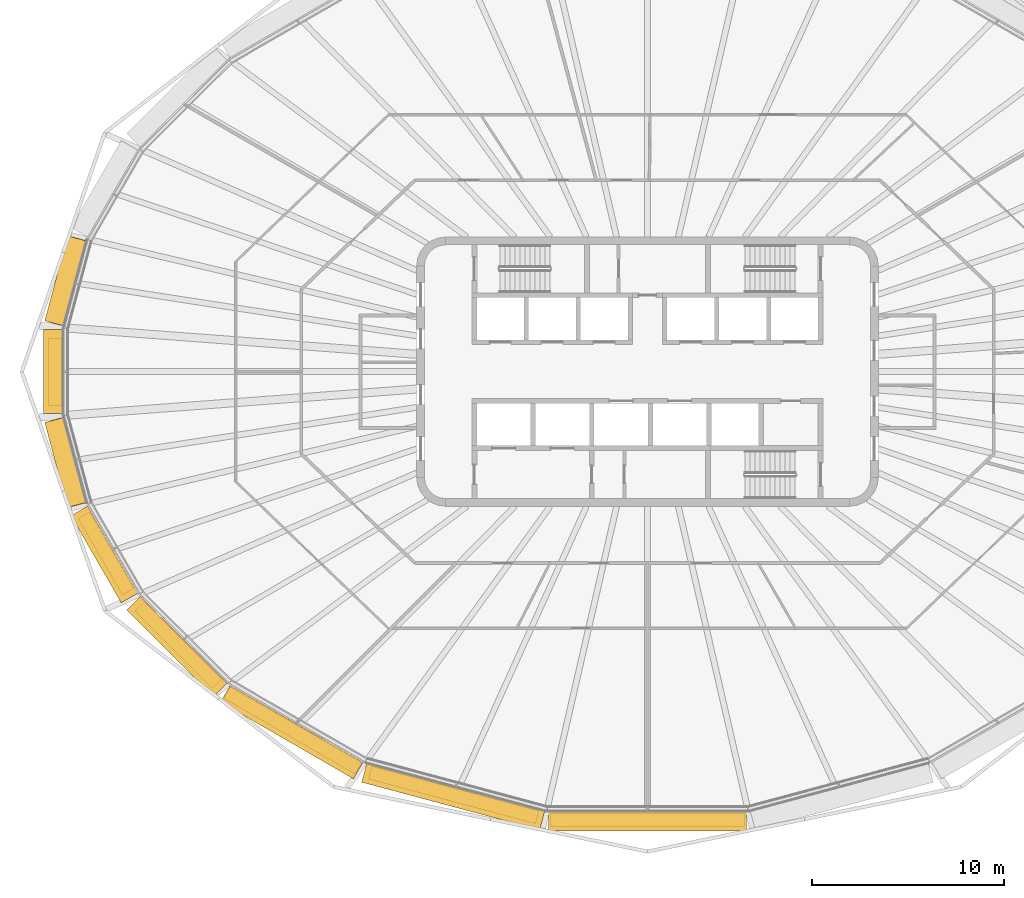
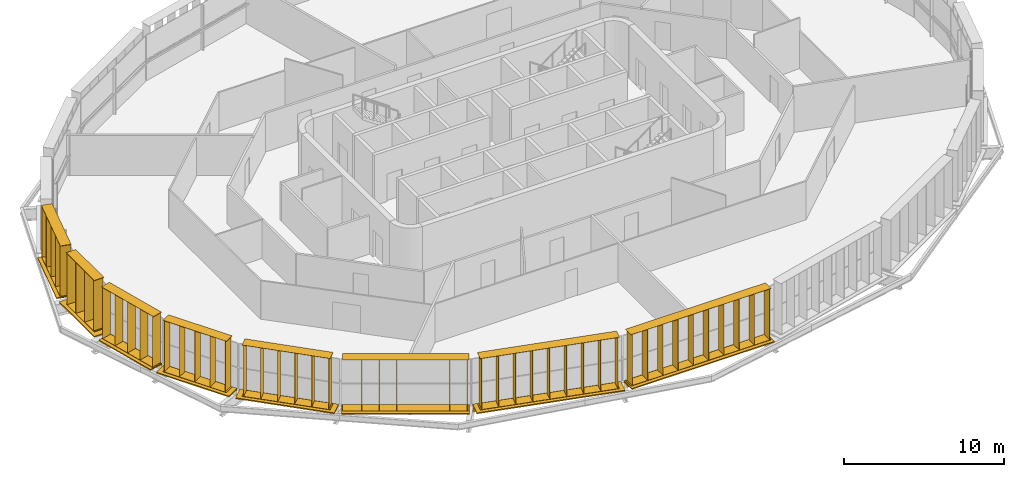
# One storey, part 15 of 20: 16 shading devices.
"""IFC4 building model written with IfcOpenShell, lengths in metres."""

from ifc_helpers import new_model, si_unit, direction, frame, origin, origin_2d, place, context, subcontext, project, spatial, rectangle, extrude, material, type_object, element, save


model = new_model("IFC4")

# Units and contexts
model_context = context("Model", 3, precision=1e-05, world=origin(), true_north=direction((0.0, 1.0)))
body_context = subcontext(model_context, "Body", "Model", "MODEL_VIEW")
ifc_project = project(units=[si_unit("LENGTHUNIT", "METRE"), si_unit("AREAUNIT", "SQUARE_METRE"), si_unit("VOLUMEUNIT", "CUBIC_METRE"), si_unit("PLANEANGLEUNIT", "RADIAN"), si_unit("MASSUNIT", "GRAM", prefix="KILO")], contexts=[model_context])

# Site, building, storey
site_placement = place(None, origin())
site = spatial("IfcSite", under=ifc_project, at=site_placement, CompositionType="ELEMENT")
building_placement = place(site_placement, origin())
building = spatial("IfcBuilding", under=site, at=building_placement, Name="Sahrelin Media Tower", CompositionType="ELEMENT")
storey_placement = place(building_placement, frame((0.0, 0.0, 255.0)))
storey = spatial("IfcBuildingStorey", under=building, at=storey_placement, Name="L55", CompositionType="ELEMENT", Elevation=255.0)

# Shading devices
ifc_material = material(Name="Champagne anodised aluminium 6063-T6", Category="aluminium")
shading_device_type_1 = type_object("IfcShadingDeviceType", Name="Fin cassette", PredefinedType="USERDEFINED", material=ifc_material)
placement_1 = place(storey_placement, frame((-29.759033203125, 4.588623046875, 0.0), z_axis=(0.0, 0.0, 1.0), x_axis=(0.258807731996, 0.965928857556, 0.0)))
element("IfcShadingDevice", 1, at=placement_1, inside=storey, type_object=shading_device_type_1, Name="L55:FIN:L55-11", ObjectType="FIN", PredefinedType="USERDEFINED", context=body_context, shape_type="SweptSolid", body=[
    extrude(rectangle(XDim=4.60009765625, YDim=0.699951171875, at=origin_2d()), frame((0.0, 0.419921875, 0.0)), (0.0, 0.0, 1.0), 0.02001953125),
    extrude(rectangle(XDim=4.60009765625, YDim=0.699951171875, at=origin_2d()), frame((0.0, 0.419921875, 3.89990234375)), (0.0, 0.0, 1.0), 0.02001953125),
    extrude(rectangle(XDim=0.02001953125, YDim=0.699951171875, at=origin_2d()), frame((-2.199951171875, 0.419921875, 0.010009765625), z_axis=(0.0, 0.0, 1.0), x_axis=(1.0, 0.0, 0.0)), (0.0, 0.0, 1.0), 3.89990234375),
    extrude(rectangle(XDim=0.02001953125, YDim=0.699951171875, at=origin_2d()), frame((-1.10009765625, 0.419921875, 0.010009765625), z_axis=(0.0, 0.0, 1.0), x_axis=(1.0, 0.0, 0.0)), (0.0, 0.0, 1.0), 3.89990234375),
    extrude(rectangle(XDim=0.02001953125, YDim=0.699951171875, at=origin_2d()), frame((0.0, 0.419921875, 0.010009765625), z_axis=(0.0, 0.0, 1.0), x_axis=(1.0, 0.0, 0.0)), (0.0, 0.0, 1.0), 3.89990234375),
    extrude(rectangle(XDim=0.02001953125, YDim=0.699951171875, at=origin_2d()), frame((1.10009765625, 0.419921875, 0.010009765625), z_axis=(0.0, 0.0, 1.0), x_axis=(1.0, 0.0, 0.0)), (0.0, 0.0, 1.0), 3.89990234375),
    extrude(rectangle(XDim=0.02001953125, YDim=0.699951171875, at=origin_2d()), frame((2.199951171875, 0.419921875, 0.010009765625), z_axis=(0.0, 0.0, 1.0), x_axis=(1.0, 0.0, 0.0)), (0.0, 0.0, 1.0), 3.89990234375),
])
placement_2 = place(storey_placement, frame((-30.376953125, 0.0, 0.0), z_axis=(0.0, 0.0, 1.0), x_axis=(0.0, 1.0, 0.0)))
element("IfcShadingDevice", 2, at=placement_2, inside=storey, type_object=shading_device_type_1, Name="L55:FIN:L55-12", ObjectType="FIN", PredefinedType="USERDEFINED", context=body_context, shape_type="SweptSolid", body=[
    extrude(rectangle(XDim=3.5, YDim=0.699951171875, at=origin_2d()), frame((0.0, 0.419921875, 0.0)), (0.0, 0.0, 1.0), 0.02001953125),
    extrude(rectangle(XDim=3.5, YDim=0.699951171875, at=origin_2d()), frame((0.0, 0.419921875, 3.89990234375)), (0.0, 0.0, 1.0), 0.02001953125),
    extrude(rectangle(XDim=0.02001953125, YDim=0.699951171875, at=origin_2d()), frame((-1.64990234375, 0.419921875, 0.010009765625), z_axis=(0.0, 0.0, 1.0), x_axis=(1.0, 0.0, 0.0)), (0.0, 0.0, 1.0), 3.89990234375),
    extrude(rectangle(XDim=0.02001953125, YDim=0.699951171875, at=origin_2d()), frame((-0.550048828125, 0.419921875, 0.010009765625), z_axis=(0.0, 0.0, 1.0), x_axis=(1.0, 0.0, 0.0)), (0.0, 0.0, 1.0), 3.89990234375),
    extrude(rectangle(XDim=0.02001953125, YDim=0.699951171875, at=origin_2d()), frame((0.550048828125, 0.419921875, 0.010009765625), z_axis=(0.0, 0.0, 1.0), x_axis=(1.0, 0.0, 0.0)), (0.0, 0.0, 1.0), 3.89990234375),
    extrude(rectangle(XDim=0.02001953125, YDim=0.699951171875, at=origin_2d()), frame((1.64990234375, 0.419921875, 0.010009765625), z_axis=(0.0, 0.0, 1.0), x_axis=(1.0, 0.0, 0.0)), (0.0, 0.0, 1.0), 3.89990234375),
])
placement_3 = place(storey_placement, frame((-29.759033203125, -4.588623046875, 0.0), z_axis=(0.0, 0.0, 1.0), x_axis=(-0.258807731996, 0.965928857556, 0.0)))
element("IfcShadingDevice", 3, at=placement_3, inside=storey, type_object=shading_device_type_1, Name="L55:FIN:L55-13", ObjectType="FIN", PredefinedType="USERDEFINED", context=body_context, shape_type="SweptSolid", body=[
    extrude(rectangle(XDim=4.60009765625, YDim=0.699951171875, at=origin_2d()), frame((0.0, 0.419921875, 0.0)), (0.0, 0.0, 1.0), 0.02001953125),
    extrude(rectangle(XDim=4.60009765625, YDim=0.699951171875, at=origin_2d()), frame((0.0, 0.419921875, 3.89990234375)), (0.0, 0.0, 1.0), 0.02001953125),
    extrude(rectangle(XDim=0.02001953125, YDim=0.699951171875, at=origin_2d()), frame((-2.199951171875, 0.419921875, 0.010009765625), z_axis=(0.0, 0.0, 1.0), x_axis=(1.0, 0.0, 0.0)), (0.0, 0.0, 1.0), 3.89990234375),
    extrude(rectangle(XDim=0.02001953125, YDim=0.699951171875, at=origin_2d()), frame((-1.10009765625, 0.419921875, 0.010009765625), z_axis=(0.0, 0.0, 1.0), x_axis=(1.0, 0.0, 0.0)), (0.0, 0.0, 1.0), 3.89990234375),
    extrude(rectangle(XDim=0.02001953125, YDim=0.699951171875, at=origin_2d()), frame((0.0, 0.419921875, 0.010009765625), z_axis=(0.0, 0.0, 1.0), x_axis=(1.0, 0.0, 0.0)), (0.0, 0.0, 1.0), 3.89990234375),
    extrude(rectangle(XDim=0.02001953125, YDim=0.699951171875, at=origin_2d()), frame((1.10009765625, 0.419921875, 0.010009765625), z_axis=(0.0, 0.0, 1.0), x_axis=(1.0, 0.0, 0.0)), (0.0, 0.0, 1.0), 3.89990234375),
    extrude(rectangle(XDim=0.02001953125, YDim=0.699951171875, at=origin_2d()), frame((2.199951171875, 0.419921875, 0.010009765625), z_axis=(0.0, 0.0, 1.0), x_axis=(1.0, 0.0, 0.0)), (0.0, 0.0, 1.0), 3.89990234375),
])
placement_4 = place(storey_placement, frame((-27.784912109375, -9.243408203125, 0.0), z_axis=(0.0, 0.0, 1.0), x_axis=(-0.500011000363, 0.866019052629, 0.0)))
element("IfcShadingDevice", 4, at=placement_4, inside=storey, type_object=shading_device_type_1, Name="L55:FIN:L55-14", ObjectType="FIN", PredefinedType="USERDEFINED", context=body_context, shape_type="SweptSolid", body=[
    extrude(rectangle(XDim=4.60009765625, YDim=0.699951171875, at=origin_2d()), frame((0.0, 0.419921875, 0.0)), (0.0, 0.0, 1.0), 0.02001953125),
    extrude(rectangle(XDim=4.60009765625, YDim=0.699951171875, at=origin_2d()), frame((0.0, 0.419921875, 3.89990234375)), (0.0, 0.0, 1.0), 0.02001953125),
    extrude(rectangle(XDim=0.02001953125, YDim=0.699951171875, at=origin_2d()), frame((-2.199951171875, 0.419921875, 0.010009765625), z_axis=(0.0, 0.0, 1.0), x_axis=(1.0, 0.0, 0.0)), (0.0, 0.0, 1.0), 3.89990234375),
    extrude(rectangle(XDim=0.02001953125, YDim=0.699951171875, at=origin_2d()), frame((-1.10009765625, 0.419921875, 0.010009765625), z_axis=(0.0, 0.0, 1.0), x_axis=(1.0, 0.0, 0.0)), (0.0, 0.0, 1.0), 3.89990234375),
    extrude(rectangle(XDim=0.02001953125, YDim=0.699951171875, at=origin_2d()), frame((0.0, 0.419921875, 0.010009765625), z_axis=(0.0, 0.0, 1.0), x_axis=(1.0, 0.0, 0.0)), (0.0, 0.0, 1.0), 3.89990234375),
    extrude(rectangle(XDim=0.02001953125, YDim=0.699951171875, at=origin_2d()), frame((1.10009765625, 0.419921875, 0.010009765625), z_axis=(0.0, 0.0, 1.0), x_axis=(1.0, 0.0, 0.0)), (0.0, 0.0, 1.0), 3.89990234375),
    extrude(rectangle(XDim=0.02001953125, YDim=0.699951171875, at=origin_2d()), frame((2.199951171875, 0.419921875, 0.010009765625), z_axis=(0.0, 0.0, 1.0), x_axis=(1.0, 0.0, 0.0)), (0.0, 0.0, 1.0), 3.89990234375),
])
placement_5 = place(storey_placement, frame((-24.102294921875, -13.9189453125, 0.0), z_axis=(0.0, 0.0, 1.0), x_axis=(-0.707106781187, 0.707106781187, 0.0)))
element("IfcShadingDevice", 5, at=placement_5, inside=storey, type_object=shading_device_type_1, Name="L55:FIN:L55-15", ObjectType="FIN", PredefinedType="USERDEFINED", context=body_context, shape_type="SweptSolid", body=[
    extrude(rectangle(XDim=5.699951171875, YDim=0.699951171875, at=origin_2d()), frame((0.0, 0.419921875, 0.0)), (0.0, 0.0, 1.0), 0.02001953125),
    extrude(rectangle(XDim=5.699951171875, YDim=0.699951171875, at=origin_2d()), frame((0.0, 0.419921875, 3.89990234375)), (0.0, 0.0, 1.0), 0.02001953125),
    extrude(rectangle(XDim=0.02001953125, YDim=0.699951171875, at=origin_2d()), frame((-2.75, 0.419921875, 0.010009765625), z_axis=(0.0, 0.0, 1.0), x_axis=(1.0, 0.0, 0.0)), (0.0, 0.0, 1.0), 3.89990234375),
    extrude(rectangle(XDim=0.02001953125, YDim=0.699951171875, at=origin_2d()), frame((-1.64990234375, 0.419921875, 0.010009765625), z_axis=(0.0, 0.0, 1.0), x_axis=(1.0, 0.0, 0.0)), (0.0, 0.0, 1.0), 3.89990234375),
    extrude(rectangle(XDim=0.02001953125, YDim=0.699951171875, at=origin_2d()), frame((-0.550048828125, 0.419921875, 0.010009765625), z_axis=(0.0, 0.0, 1.0), x_axis=(1.0, 0.0, 0.0)), (0.0, 0.0, 1.0), 3.89990234375),
    extrude(rectangle(XDim=0.02001953125, YDim=0.699951171875, at=origin_2d()), frame((0.550048828125, 0.419921875, 0.010009765625), z_axis=(0.0, 0.0, 1.0), x_axis=(1.0, 0.0, 0.0)), (0.0, 0.0, 1.0), 3.89990234375),
    extrude(rectangle(XDim=0.02001953125, YDim=0.699951171875, at=origin_2d()), frame((1.64990234375, 0.419921875, 0.010009765625), z_axis=(0.0, 0.0, 1.0), x_axis=(1.0, 0.0, 0.0)), (0.0, 0.0, 1.0), 3.89990234375),
    extrude(rectangle(XDim=0.02001953125, YDim=0.699951171875, at=origin_2d()), frame((2.75, 0.419921875, 0.010009765625), z_axis=(0.0, 0.0, 1.0), x_axis=(1.0, 0.0, 0.0)), (0.0, 0.0, 1.0), 3.89990234375),
])
placement_6 = place(storey_placement, frame((-18.234375, -18.2900390625, 0.0), z_axis=(0.0, 0.0, 1.0), x_axis=(-0.866019052629, 0.500011000363, 0.0)))
element("IfcShadingDevice", 6, at=placement_6, inside=storey, type_object=shading_device_type_1, Name="L55:FIN:L55-16", ObjectType="FIN", PredefinedType="USERDEFINED", context=body_context, shape_type="SweptSolid", body=[
    extrude(rectangle(XDim=7.89990234375, YDim=0.699951171875, at=origin_2d()), frame((0.0, 0.419921875, 0.0)), (0.0, 0.0, 1.0), 0.02001953125),
    extrude(rectangle(XDim=7.89990234375, YDim=0.699951171875, at=origin_2d()), frame((0.0, 0.419921875, 3.89990234375)), (0.0, 0.0, 1.0), 0.02001953125),
    extrude(rectangle(XDim=0.02001953125, YDim=0.699951171875, at=origin_2d()), frame((-3.85009765625, 0.419921875, 0.010009765625), z_axis=(0.0, 0.0, 1.0), x_axis=(1.0, 0.0, 0.0)), (0.0, 0.0, 1.0), 3.89990234375),
    extrude(rectangle(XDim=0.02001953125, YDim=0.699951171875, at=origin_2d()), frame((-2.75, 0.419921875, 0.010009765625), z_axis=(0.0, 0.0, 1.0), x_axis=(1.0, 0.0, 0.0)), (0.0, 0.0, 1.0), 3.89990234375),
    extrude(rectangle(XDim=0.02001953125, YDim=0.699951171875, at=origin_2d()), frame((-1.64990234375, 0.419921875, 0.010009765625), z_axis=(0.0, 0.0, 1.0), x_axis=(1.0, 0.0, 0.0)), (0.0, 0.0, 1.0), 3.89990234375),
    extrude(rectangle(XDim=0.02001953125, YDim=0.699951171875, at=origin_2d()), frame((-0.550048828125, 0.419921875, 0.010009765625), z_axis=(0.0, 0.0, 1.0), x_axis=(1.0, 0.0, 0.0)), (0.0, 0.0, 1.0), 3.89990234375),
    extrude(rectangle(XDim=0.02001953125, YDim=0.699951171875, at=origin_2d()), frame((0.550048828125, 0.419921875, 0.010009765625), z_axis=(0.0, 0.0, 1.0), x_axis=(1.0, 0.0, 0.0)), (0.0, 0.0, 1.0), 3.89990234375),
    extrude(rectangle(XDim=0.02001953125, YDim=0.699951171875, at=origin_2d()), frame((1.64990234375, 0.419921875, 0.010009765625), z_axis=(0.0, 0.0, 1.0), x_axis=(1.0, 0.0, 0.0)), (0.0, 0.0, 1.0), 3.89990234375),
    extrude(rectangle(XDim=0.02001953125, YDim=0.699951171875, at=origin_2d()), frame((2.75, 0.419921875, 0.010009765625), z_axis=(0.0, 0.0, 1.0), x_axis=(1.0, 0.0, 0.0)), (0.0, 0.0, 1.0), 3.89990234375),
    extrude(rectangle(XDim=0.02001953125, YDim=0.699951171875, at=origin_2d()), frame((3.85009765625, 0.419921875, 0.010009765625), z_axis=(0.0, 0.0, 1.0), x_axis=(1.0, 0.0, 0.0)), (0.0, 0.0, 1.0), 3.89990234375),
])
placement_7 = place(storey_placement, frame((-9.96875, -21.6005859375, 0.0), z_axis=(0.0, 0.0, 1.0), x_axis=(-0.965928857556, 0.258807731996, 0.0)))
element("IfcShadingDevice", 7, at=placement_7, inside=storey, type_object=shading_device_type_1, Name="L55:FIN:L55-17", ObjectType="FIN", PredefinedType="USERDEFINED", context=body_context, shape_type="SweptSolid", body=[
    extrude(rectangle(XDim=9.0, YDim=0.699951171875, at=origin_2d()), frame((0.0, 0.419921875, 0.0)), (0.0, 0.0, 1.0), 0.02001953125),
    extrude(rectangle(XDim=9.0, YDim=0.699951171875, at=origin_2d()), frame((0.0, 0.419921875, 3.89990234375)), (0.0, 0.0, 1.0), 0.02001953125),
    extrude(rectangle(XDim=0.02001953125, YDim=0.699951171875, at=origin_2d()), frame((-4.39990234375, 0.419921875, 0.010009765625), z_axis=(0.0, 0.0, 1.0), x_axis=(1.0, 0.0, 0.0)), (0.0, 0.0, 1.0), 3.89990234375),
    extrude(rectangle(XDim=0.02001953125, YDim=0.699951171875, at=origin_2d()), frame((-3.300048828125, 0.419921875, 0.010009765625), z_axis=(0.0, 0.0, 1.0), x_axis=(1.0, 0.0, 0.0)), (0.0, 0.0, 1.0), 3.89990234375),
    extrude(rectangle(XDim=0.02001953125, YDim=0.699951171875, at=origin_2d()), frame((-2.199951171875, 0.419921875, 0.010009765625), z_axis=(0.0, 0.0, 1.0), x_axis=(1.0, 0.0, 0.0)), (0.0, 0.0, 1.0), 3.89990234375),
    extrude(rectangle(XDim=0.02001953125, YDim=0.699951171875, at=origin_2d()), frame((-1.10009765625, 0.419921875, 0.010009765625), z_axis=(0.0, 0.0, 1.0), x_axis=(1.0, 0.0, 0.0)), (0.0, 0.0, 1.0), 3.89990234375),
    extrude(rectangle(XDim=0.02001953125, YDim=0.699951171875, at=origin_2d()), frame((0.0, 0.419921875, 0.010009765625), z_axis=(0.0, 0.0, 1.0), x_axis=(1.0, 0.0, 0.0)), (0.0, 0.0, 1.0), 3.89990234375),
    extrude(rectangle(XDim=0.02001953125, YDim=0.699951171875, at=origin_2d()), frame((1.10009765625, 0.419921875, 0.010009765625), z_axis=(0.0, 0.0, 1.0), x_axis=(1.0, 0.0, 0.0)), (0.0, 0.0, 1.0), 3.89990234375),
    extrude(rectangle(XDim=0.02001953125, YDim=0.699951171875, at=origin_2d()), frame((2.199951171875, 0.419921875, 0.010009765625), z_axis=(0.0, 0.0, 1.0), x_axis=(1.0, 0.0, 0.0)), (0.0, 0.0, 1.0), 3.89990234375),
    extrude(rectangle(XDim=0.02001953125, YDim=0.699951171875, at=origin_2d()), frame((3.300048828125, 0.419921875, 0.010009765625), z_axis=(0.0, 0.0, 1.0), x_axis=(1.0, 0.0, 0.0)), (0.0, 0.0, 1.0), 3.89990234375),
    extrude(rectangle(XDim=0.02001953125, YDim=0.699951171875, at=origin_2d()), frame((4.39990234375, 0.419921875, 0.010009765625), z_axis=(0.0, 0.0, 1.0), x_axis=(1.0, 0.0, 0.0)), (0.0, 0.0, 1.0), 3.89990234375),
])
placement_8 = place(storey_placement, frame((0.0, -22.8662109375, 0.0), z_axis=(0.0, 0.0, 1.0), x_axis=(-1.0, 0.0, 0.0)))
element("IfcShadingDevice", 8, at=placement_8, inside=storey, type_object=shading_device_type_1, Name="L55:FIN:L55-18", ObjectType="FIN", PredefinedType="USERDEFINED", context=body_context, shape_type="SweptSolid", body=[
    extrude(rectangle(XDim=10.10009765625, YDim=0.699951171875, at=origin_2d()), frame((0.0, 0.419921875, 0.0)), (0.0, 0.0, 1.0), 0.02001953125),
    extrude(rectangle(XDim=10.10009765625, YDim=0.699951171875, at=origin_2d()), frame((0.0, 0.419921875, 3.89990234375)), (0.0, 0.0, 1.0), 0.02001953125),
    extrude(rectangle(XDim=0.02001953125, YDim=0.699951171875, at=origin_2d()), frame((-4.949951171875, 0.419921875, 0.010009765625), z_axis=(0.0, 0.0, 1.0), x_axis=(1.0, 0.0, 0.0)), (0.0, 0.0, 1.0), 3.89990234375),
    extrude(rectangle(XDim=0.02001953125, YDim=0.699951171875, at=origin_2d()), frame((-3.85009765625, 0.419921875, 0.010009765625), z_axis=(0.0, 0.0, 1.0), x_axis=(1.0, 0.0, 0.0)), (0.0, 0.0, 1.0), 3.89990234375),
    extrude(rectangle(XDim=0.02001953125, YDim=0.699951171875, at=origin_2d()), frame((-2.75, 0.419921875, 0.010009765625), z_axis=(0.0, 0.0, 1.0), x_axis=(1.0, 0.0, 0.0)), (0.0, 0.0, 1.0), 3.89990234375),
    extrude(rectangle(XDim=0.02001953125, YDim=0.699951171875, at=origin_2d()), frame((-1.64990234375, 0.419921875, 0.010009765625), z_axis=(0.0, 0.0, 1.0), x_axis=(1.0, 0.0, 0.0)), (0.0, 0.0, 1.0), 3.89990234375),
    extrude(rectangle(XDim=0.02001953125, YDim=0.699951171875, at=origin_2d()), frame((-0.550048828125, 0.419921875, 0.010009765625), z_axis=(0.0, 0.0, 1.0), x_axis=(1.0, 0.0, 0.0)), (0.0, 0.0, 1.0), 3.89990234375),
    extrude(rectangle(XDim=0.02001953125, YDim=0.699951171875, at=origin_2d()), frame((0.550048828125, 0.419921875, 0.010009765625), z_axis=(0.0, 0.0, 1.0), x_axis=(1.0, 0.0, 0.0)), (0.0, 0.0, 1.0), 3.89990234375),
    extrude(rectangle(XDim=0.02001953125, YDim=0.699951171875, at=origin_2d()), frame((1.64990234375, 0.419921875, 0.010009765625), z_axis=(0.0, 0.0, 1.0), x_axis=(1.0, 0.0, 0.0)), (0.0, 0.0, 1.0), 3.89990234375),
    extrude(rectangle(XDim=0.02001953125, YDim=0.699951171875, at=origin_2d()), frame((2.75, 0.419921875, 0.010009765625), z_axis=(0.0, 0.0, 1.0), x_axis=(1.0, 0.0, 0.0)), (0.0, 0.0, 1.0), 3.89990234375),
    extrude(rectangle(XDim=0.02001953125, YDim=0.699951171875, at=origin_2d()), frame((3.85009765625, 0.419921875, 0.010009765625), z_axis=(0.0, 0.0, 1.0), x_axis=(1.0, 0.0, 0.0)), (0.0, 0.0, 1.0), 3.89990234375),
    extrude(rectangle(XDim=0.02001953125, YDim=0.699951171875, at=origin_2d()), frame((4.949951171875, 0.419921875, 0.010009765625), z_axis=(0.0, 0.0, 1.0), x_axis=(1.0, 0.0, 0.0)), (0.0, 0.0, 1.0), 3.89990234375),
])
shading_device_type_2 = type_object("IfcShadingDeviceType", Name="Sunshade band", PredefinedType="USERDEFINED", material=ifc_material)
element("IfcShadingDevice", 9, at=placement_1, inside=storey, type_object=shading_device_type_2, Name="L55:SUN:L55-11", ObjectType="SUNSHADE", PredefinedType="USERDEFINED", context=body_context, shape_type="SweptSolid", body=[
    extrude(rectangle(XDim=4.57373046875, YDim=0.050048828125, at=origin_2d()), frame((0.0, 0.044921875, -0.55126953125)), (0.0, 0.0, 1.0), 0.471435546875),
    extrude(rectangle(XDim=4.57373046875, YDim=1.0, at=origin_2d()), frame((0.0, 0.52001953125, -0.080078125)), (0.0, 0.0, 1.0), 0.080078125),
    extrude(rectangle(XDim=0.10009765625, YDim=0.074951171875, at=origin_2d()), frame((-2.186767578125, -0.017578125, -0.47021484375)), (0.0, 0.0, 1.0), 0.300048828125),
    extrude(rectangle(XDim=0.10009765625, YDim=0.074951171875, at=origin_2d()), frame((-0.72900390625, -0.017578125, -0.47021484375)), (0.0, 0.0, 1.0), 0.300048828125),
    extrude(rectangle(XDim=0.10009765625, YDim=0.074951171875, at=origin_2d()), frame((0.72900390625, -0.017578125, -0.47021484375)), (0.0, 0.0, 1.0), 0.300048828125),
    extrude(rectangle(XDim=0.10009765625, YDim=0.074951171875, at=origin_2d()), frame((2.186767578125, -0.017578125, -0.47021484375)), (0.0, 0.0, 1.0), 0.300048828125),
])
element("IfcShadingDevice", 10, at=placement_2, inside=storey, type_object=shading_device_type_2, Name="L55:SUN:L55-12", ObjectType="SUNSHADE", PredefinedType="USERDEFINED", context=body_context, shape_type="SweptSolid", body=[
    extrude(rectangle(XDim=4.3662109375, YDim=0.050048828125, at=origin_2d()), frame((0.0, 0.044921875, -0.55126953125)), (0.0, 0.0, 1.0), 0.471435546875),
    extrude(rectangle(XDim=4.3662109375, YDim=1.0, at=origin_2d()), frame((0.0, 0.52001953125, -0.080078125)), (0.0, 0.0, 1.0), 0.080078125),
    extrude(rectangle(XDim=0.10009765625, YDim=0.074951171875, at=origin_2d()), frame((-2.0830078125, -0.017578125, -0.47021484375)), (0.0, 0.0, 1.0), 0.300048828125),
    extrude(rectangle(XDim=0.10009765625, YDim=0.074951171875, at=origin_2d()), frame((-0.6943359375, -0.017578125, -0.47021484375)), (0.0, 0.0, 1.0), 0.300048828125),
    extrude(rectangle(XDim=0.10009765625, YDim=0.074951171875, at=origin_2d()), frame((0.6943359375, -0.017578125, -0.47021484375)), (0.0, 0.0, 1.0), 0.300048828125),
    extrude(rectangle(XDim=0.10009765625, YDim=0.074951171875, at=origin_2d()), frame((2.0830078125, -0.017578125, -0.47021484375)), (0.0, 0.0, 1.0), 0.300048828125),
])
element("IfcShadingDevice", 11, at=placement_3, inside=storey, type_object=shading_device_type_2, Name="L55:SUN:L55-13", ObjectType="SUNSHADE", PredefinedType="USERDEFINED", context=body_context, shape_type="SweptSolid", body=[
    extrude(rectangle(XDim=4.57373046875, YDim=0.050048828125, at=origin_2d()), frame((0.0, 0.044921875, -0.55126953125)), (0.0, 0.0, 1.0), 0.471435546875),
    extrude(rectangle(XDim=4.57373046875, YDim=1.0, at=origin_2d()), frame((0.0, 0.52001953125, -0.080078125)), (0.0, 0.0, 1.0), 0.080078125),
    extrude(rectangle(XDim=0.10009765625, YDim=0.074951171875, at=origin_2d()), frame((-2.186767578125, -0.017578125, -0.47021484375)), (0.0, 0.0, 1.0), 0.300048828125),
    extrude(rectangle(XDim=0.10009765625, YDim=0.074951171875, at=origin_2d()), frame((-0.72900390625, -0.017578125, -0.47021484375)), (0.0, 0.0, 1.0), 0.300048828125),
    extrude(rectangle(XDim=0.10009765625, YDim=0.074951171875, at=origin_2d()), frame((0.72900390625, -0.017578125, -0.47021484375)), (0.0, 0.0, 1.0), 0.300048828125),
    extrude(rectangle(XDim=0.10009765625, YDim=0.074951171875, at=origin_2d()), frame((2.186767578125, -0.017578125, -0.47021484375)), (0.0, 0.0, 1.0), 0.300048828125),
])
element("IfcShadingDevice", 12, at=placement_4, inside=storey, type_object=shading_device_type_2, Name="L55:SUN:L55-14", ObjectType="SUNSHADE", PredefinedType="USERDEFINED", context=body_context, shape_type="SweptSolid", body=[
    extrude(rectangle(XDim=5.2255859375, YDim=0.050048828125, at=origin_2d()), frame((0.0, 0.044921875, -0.55126953125)), (0.0, 0.0, 1.0), 0.471435546875),
    extrude(rectangle(XDim=5.2255859375, YDim=1.0, at=origin_2d()), frame((0.0, 0.52001953125, -0.080078125)), (0.0, 0.0, 1.0), 0.080078125),
    extrude(rectangle(XDim=0.10009765625, YDim=0.074951171875, at=origin_2d()), frame((-2.5126953125, -0.017578125, -0.47021484375)), (0.0, 0.0, 1.0), 0.300048828125),
    extrude(rectangle(XDim=0.10009765625, YDim=0.074951171875, at=origin_2d()), frame((-0.837646484375, -0.017578125, -0.47021484375)), (0.0, 0.0, 1.0), 0.300048828125),
    extrude(rectangle(XDim=0.10009765625, YDim=0.074951171875, at=origin_2d()), frame((0.837646484375, -0.017578125, -0.47021484375)), (0.0, 0.0, 1.0), 0.300048828125),
    extrude(rectangle(XDim=0.10009765625, YDim=0.074951171875, at=origin_2d()), frame((2.5126953125, -0.017578125, -0.47021484375)), (0.0, 0.0, 1.0), 0.300048828125),
])
element("IfcShadingDevice", 13, at=placement_5, inside=storey, type_object=shading_device_type_2, Name="L55:SUN:L55-15", ObjectType="SUNSHADE", PredefinedType="USERDEFINED", context=body_context, shape_type="SweptSolid", body=[
    extrude(rectangle(XDim=6.379150390625, YDim=0.050048828125, at=origin_2d()), frame((0.0, 0.044921875, -0.55126953125)), (0.0, 0.0, 1.0), 0.471435546875),
    extrude(rectangle(XDim=6.379150390625, YDim=1.0, at=origin_2d()), frame((0.0, 0.52001953125, -0.080078125)), (0.0, 0.0, 1.0), 0.080078125),
    extrude(rectangle(XDim=0.10009765625, YDim=0.074951171875, at=origin_2d()), frame((-3.089599609375, -0.017578125, -0.47021484375)), (0.0, 0.0, 1.0), 0.300048828125),
    extrude(rectangle(XDim=0.10009765625, YDim=0.074951171875, at=origin_2d()), frame((-1.544921875, -0.017578125, -0.47021484375)), (0.0, 0.0, 1.0), 0.300048828125),
    extrude(rectangle(XDim=0.10009765625, YDim=0.074951171875, at=origin_2d()), frame((0.0, -0.017578125, -0.47021484375)), (0.0, 0.0, 1.0), 0.300048828125),
    extrude(rectangle(XDim=0.10009765625, YDim=0.074951171875, at=origin_2d()), frame((1.544921875, -0.017578125, -0.47021484375)), (0.0, 0.0, 1.0), 0.300048828125),
    extrude(rectangle(XDim=0.10009765625, YDim=0.074951171875, at=origin_2d()), frame((3.089599609375, -0.017578125, -0.47021484375)), (0.0, 0.0, 1.0), 0.300048828125),
])
element("IfcShadingDevice", 14, at=placement_6, inside=storey, type_object=shading_device_type_2, Name="L55:SUN:L55-16", ObjectType="SUNSHADE", PredefinedType="USERDEFINED", context=body_context, shape_type="SweptSolid", body=[
    extrude(rectangle(XDim=7.97998046875, YDim=0.050048828125, at=origin_2d()), frame((0.0, 0.044921875, -0.55126953125)), (0.0, 0.0, 1.0), 0.471435546875),
    extrude(rectangle(XDim=7.97998046875, YDim=1.0, at=origin_2d()), frame((0.0, 0.52001953125, -0.080078125)), (0.0, 0.0, 1.0), 0.080078125),
    extrude(rectangle(XDim=0.10009765625, YDim=0.074951171875, at=origin_2d()), frame((-3.889892578125, -0.017578125, -0.47021484375)), (0.0, 0.0, 1.0), 0.300048828125),
    extrude(rectangle(XDim=0.10009765625, YDim=0.074951171875, at=origin_2d()), frame((-1.945068359375, -0.017578125, -0.47021484375)), (0.0, 0.0, 1.0), 0.300048828125),
    extrude(rectangle(XDim=0.10009765625, YDim=0.074951171875, at=origin_2d()), frame((0.0, -0.017578125, -0.47021484375)), (0.0, 0.0, 1.0), 0.300048828125),
    extrude(rectangle(XDim=0.10009765625, YDim=0.074951171875, at=origin_2d()), frame((1.945068359375, -0.017578125, -0.47021484375)), (0.0, 0.0, 1.0), 0.300048828125),
    extrude(rectangle(XDim=0.10009765625, YDim=0.074951171875, at=origin_2d()), frame((3.889892578125, -0.017578125, -0.47021484375)), (0.0, 0.0, 1.0), 0.300048828125),
])
element("IfcShadingDevice", 15, at=placement_7, inside=storey, type_object=shading_device_type_2, Name="L55:SUN:L55-17", ObjectType="SUNSHADE", PredefinedType="USERDEFINED", context=body_context, shape_type="SweptSolid", body=[
    extrude(rectangle(XDim=9.580322265625, YDim=0.050048828125, at=origin_2d()), frame((0.0, 0.044921875, -0.55126953125)), (0.0, 0.0, 1.0), 0.471435546875),
    extrude(rectangle(XDim=9.580322265625, YDim=1.0, at=origin_2d()), frame((0.0, 0.52001953125, -0.080078125)), (0.0, 0.0, 1.0), 0.080078125),
    extrude(rectangle(XDim=0.10009765625, YDim=0.074951171875, at=origin_2d()), frame((-4.690185546875, -0.017578125, -0.47021484375)), (0.0, 0.0, 1.0), 0.300048828125),
    extrude(rectangle(XDim=0.10009765625, YDim=0.074951171875, at=origin_2d()), frame((-2.814208984375, -0.017578125, -0.47021484375)), (0.0, 0.0, 1.0), 0.300048828125),
    extrude(rectangle(XDim=0.10009765625, YDim=0.074951171875, at=origin_2d()), frame((-0.93798828125, -0.017578125, -0.47021484375)), (0.0, 0.0, 1.0), 0.300048828125),
    extrude(rectangle(XDim=0.10009765625, YDim=0.074951171875, at=origin_2d()), frame((0.93798828125, -0.017578125, -0.47021484375)), (0.0, 0.0, 1.0), 0.300048828125),
    extrude(rectangle(XDim=0.10009765625, YDim=0.074951171875, at=origin_2d()), frame((2.814208984375, -0.017578125, -0.47021484375)), (0.0, 0.0, 1.0), 0.300048828125),
    extrude(rectangle(XDim=0.10009765625, YDim=0.074951171875, at=origin_2d()), frame((4.690185546875, -0.017578125, -0.47021484375)), (0.0, 0.0, 1.0), 0.300048828125),
])
element("IfcShadingDevice", 16, at=placement_8, inside=storey, type_object=shading_device_type_2, Name="L55:SUN:L55-18", ObjectType="SUNSHADE", PredefinedType="USERDEFINED", context=body_context, shape_type="SweptSolid", body=[
    extrude(rectangle(XDim=10.290283203125, YDim=0.050048828125, at=origin_2d()), frame((0.0, 0.044921875, -0.55126953125)), (0.0, 0.0, 1.0), 0.471435546875),
    extrude(rectangle(XDim=10.290283203125, YDim=1.0, at=origin_2d()), frame((0.0, 0.52001953125, -0.080078125)), (0.0, 0.0, 1.0), 0.080078125),
    extrude(rectangle(XDim=0.10009765625, YDim=0.074951171875, at=origin_2d()), frame((-5.045166015625, -0.017578125, -0.47021484375)), (0.0, 0.0, 1.0), 0.300048828125),
    extrude(rectangle(XDim=0.10009765625, YDim=0.074951171875, at=origin_2d()), frame((-3.363525390625, -0.017578125, -0.47021484375)), (0.0, 0.0, 1.0), 0.300048828125),
    extrude(rectangle(XDim=0.10009765625, YDim=0.074951171875, at=origin_2d()), frame((-1.681640625, -0.017578125, -0.47021484375)), (0.0, 0.0, 1.0), 0.300048828125),
    extrude(rectangle(XDim=0.10009765625, YDim=0.074951171875, at=origin_2d()), frame((0.0, -0.017578125, -0.47021484375)), (0.0, 0.0, 1.0), 0.300048828125),
    extrude(rectangle(XDim=0.10009765625, YDim=0.074951171875, at=origin_2d()), frame((1.681640625, -0.017578125, -0.47021484375)), (0.0, 0.0, 1.0), 0.300048828125),
    extrude(rectangle(XDim=0.10009765625, YDim=0.074951171875, at=origin_2d()), frame((3.363525390625, -0.017578125, -0.47021484375)), (0.0, 0.0, 1.0), 0.300048828125),
    extrude(rectangle(XDim=0.10009765625, YDim=0.074951171875, at=origin_2d()), frame((5.045166015625, -0.017578125, -0.47021484375)), (0.0, 0.0, 1.0), 0.300048828125),
])

save(model, "model.ifc")
